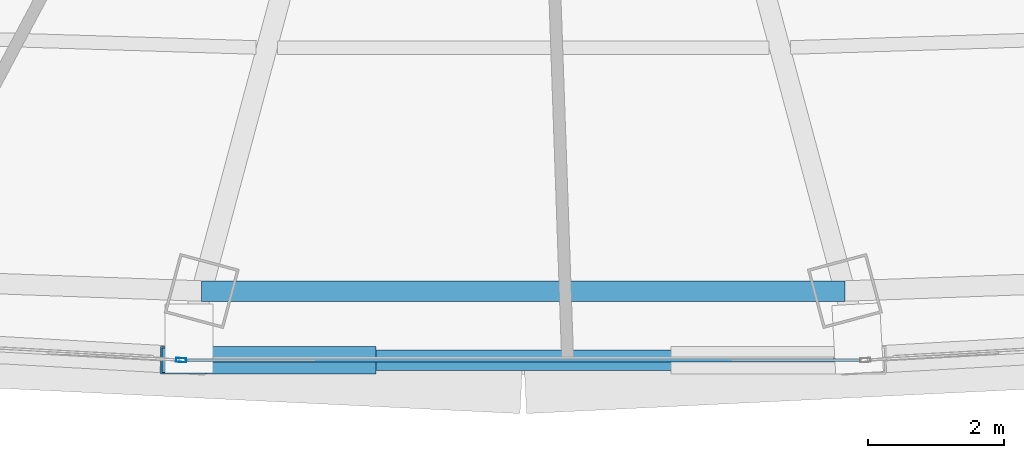
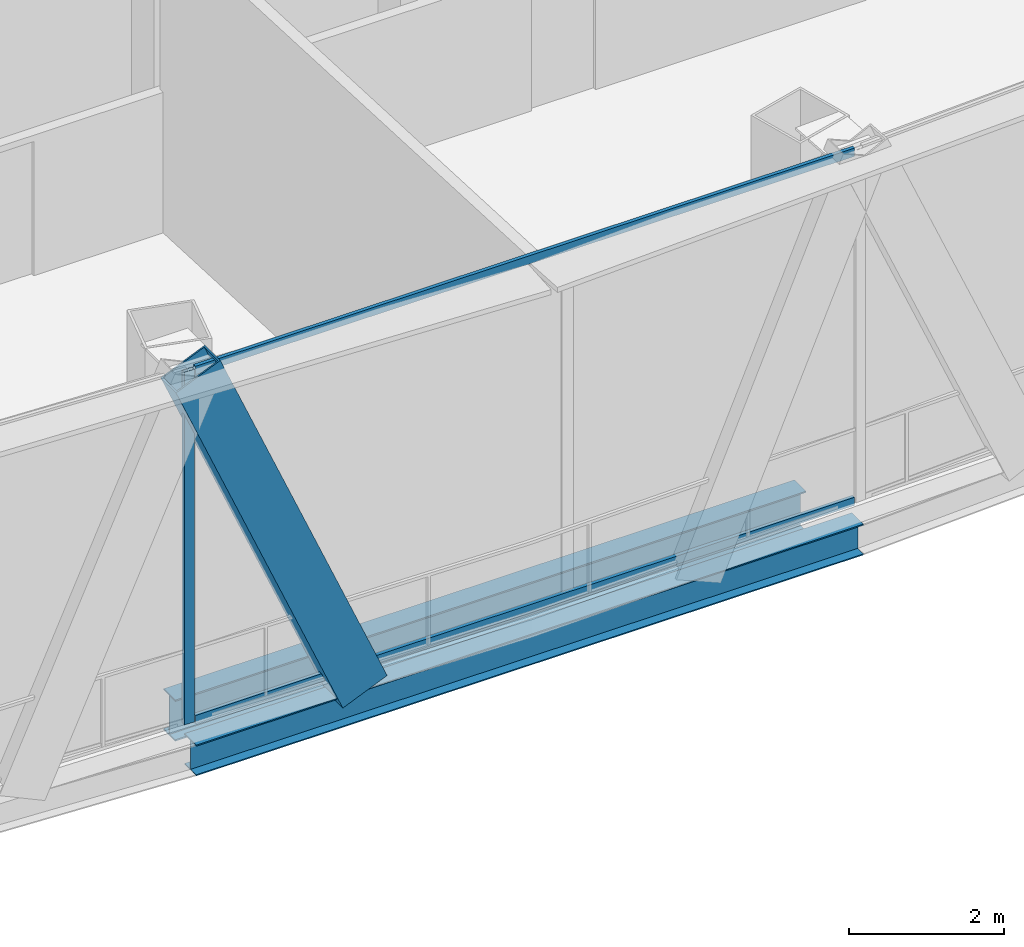
# One storey, part 10 of 38: 4 members, 2 beams, 2 elements without a shape of their own.
"""IFC4 building model written with IfcOpenShell, lengths in metres."""

from ifc_helpers import new_model, si_unit, direction, frame, origin, origin_2d, place, context, subcontext, project, spatial, hollow_rectangle, i_section, extrude, source, transform, mapped, material, layer, layer_set, material_profile, profile_set, type_object, element, aggregate, save


model = new_model("IFC4")

# Units and contexts
model_context = context("Model", 3, precision=1e-05, world=origin(), true_north=direction((0.0, 1.0)))
body_context = subcontext(model_context, "Body", "Model", "MODEL_VIEW")
ifc_project = project(units=[si_unit("LENGTHUNIT", "METRE"), si_unit("AREAUNIT", "SQUARE_METRE"), si_unit("VOLUMEUNIT", "CUBIC_METRE"), si_unit("PLANEANGLEUNIT", "RADIAN"), si_unit("MASSUNIT", "GRAM", prefix="KILO"), si_unit("THERMODYNAMICTEMPERATUREUNIT", "KELVIN"), si_unit("POWERUNIT", "WATT")], contexts=[model_context])

# Site, building, storey
site_placement = place(None, origin())
site = spatial("IfcSite", under=ifc_project, at=site_placement, CompositionType="ELEMENT")
building_placement = place(site_placement, origin())
building = spatial("IfcBuilding", under=site, at=building_placement, Name="Yunzhuo Pagoda Commons", CompositionType="ELEMENT")
storey_placement = place(building_placement, frame((0.0, 0.0, 218.9599609375)))
storey = spatial("IfcBuildingStorey", under=building, at=storey_placement, Name="L55", CompositionType="ELEMENT", Elevation=218.9599609375)

# Beams
ifc_material_1 = material(Name="Structural steel Q355B", Category="steel")
ifc_material_profile_1 = material_profile(ifc_material_1, i_section(OverallWidth=0.300048828125, OverallDepth=0.64990234375, WebThickness=0.012939453125, FlangeThickness=0.02197265625, at=origin_2d()), Name="Structural steel Q355B")
ifc_profile_set_1 = profile_set([ifc_material_profile_1], Name="Structural steel Q355B")
beam_type_1 = type_object("IfcBeamType", Name="B-RG2 Beam HN 650x300x13x22", PredefinedType="BEAM", material=ifc_profile_set_1)
shared_shape_1 = source(origin(), body_context, "Body", "SweptSolid", [
    extrude(i_section(OverallWidth=0.300048828125, OverallDepth=0.64990234375, WebThickness=0.012939453125, FlangeThickness=0.02197265625, at=origin_2d()), origin(), (0.0, 0.0, 1.0), 9.42529296875),
])
beam_1_placement = place(storey_placement, frame((43.28759765625, 16.1123046875, -0.604736328125), z_axis=(1.0, 0.0, 0.0), x_axis=(0.0, 1.0, 0.0)))
element("IfcBeam", 1, at=beam_1_placement, inside=storey, type_object=beam_type_1, Name="L55 column-ring beam 2", PredefinedType="BEAM", context=body_context, shape_type="MappedRepresentation", body=[
    mapped(shared_shape_1, transform((0.0, 0.0, 0.0), scale=1.0)),
])
ifc_material_profile_2 = material_profile(ifc_material_1, i_section(OverallWidth=0.300048828125, OverallDepth=0.488037109375, WebThickness=0.010986328125, FlangeThickness=0.01806640625, at=origin_2d()), Name="Structural steel Q355B")
ifc_profile_set_2 = profile_set([ifc_material_profile_2], Name="Structural steel Q355B")
beam_type_2 = type_object("IfcBeamType", Name="B-SP1 Beam HM 488x300x11x18", PredefinedType="BEAM", material=ifc_profile_set_2)
shared_shape_2 = source(origin(), body_context, "Body", "SweptSolid", [
    extrude(i_section(OverallWidth=0.300048828125, OverallDepth=0.488037109375, WebThickness=0.010986328125, FlangeThickness=0.01806640625, at=origin_2d()), origin(), (0.0, 0.0, 1.0), 9.96875),
])
beam_2_placement = place(storey_placement, frame((43.015625, 15.097900390625, -0.52392578125), z_axis=(1.0, 0.0, 0.0), x_axis=(0.0, 1.0, 0.0)))
element("IfcBeam", 2, at=beam_2_placement, inside=storey, type_object=beam_type_2, Name="L55 facade edge spandrel beam F1.2", PredefinedType="BEAM", context=body_context, shape_type="MappedRepresentation", body=[
    mapped(shared_shape_2, transform((0.0, 0.0, 0.0), scale=1.0)),
])

# Member
ifc_material_profile_3 = material_profile(ifc_material_1, hollow_rectangle(XDim=0.39990234375, YDim=0.719970703125, WallThickness=0.02392578125, at=origin_2d()), Name="Structural steel Q355B")
ifc_profile_set_3 = profile_set([ifc_material_profile_3], Name="Structural steel Q355B")
member_type_1 = type_object("IfcMemberType", Name="M-DL2 Brace BOX 720x400x24", PredefinedType="BRACE", material=ifc_profile_set_3)
shared_shape_3 = source(origin(), body_context, "Body", "SweptSolid", [
    extrude(hollow_rectangle(XDim=0.39990234375, YDim=0.719970703125, WallThickness=0.02392578125, at=origin_2d()), origin(), (0.0, 0.0, 1.0), 6.35888671875),
])
member_1_placement = place(storey_placement, frame((45.508056640625, 15.097900390625, -0.280029296875), z_axis=(-0.39195835299, 0.0, 0.919982961539), x_axis=(0.0, -1.0, 0.0)))
element("IfcMember", 3, at=member_1_placement, inside=storey, type_object=member_type_1, Name="L55 facade diamond brace F1.2L", PredefinedType="BRACE", context=body_context, shape_type="MappedRepresentation", body=[
    mapped(shared_shape_3, transform((0.0, 0.0, 0.0), scale=1.0)),
])

# Curtain wall, member
ifc_material_2 = material(Name="Anodized aluminium 6063-T6", Category="aluminium")
ifc_layer = layer(ifc_material_2, 0.14990234375)
ifc_layer_set = layer_set([ifc_layer], Name="Anodized aluminium 6063-T6")
curtain_wall_type = type_object("IfcCurtainWallType", Name="CW-MID Mid-Zone Ribbon Curtain Wall", PredefinedType="NOTDEFINED", material=ifc_layer_set)
curtain_wall_1_placement = place(storey_placement, origin())
curtain_wall_1 = element("IfcCurtainWall", 4, at=curtain_wall_1_placement, inside=storey, type_object=curtain_wall_type, Name="L55 curtain wall CW-L55-F1B2", PredefinedType="NOTDEFINED")
ifc_material_profile_4 = material_profile(ifc_material_2, hollow_rectangle(XDim=0.06005859375, YDim=0.14990234375, WallThickness=0.00390625, at=origin_2d()), Name="Anodized aluminium 6063-T6")
ifc_profile_set_4 = profile_set([ifc_material_profile_4], Name="Anodized aluminium 6063-T6")
member_type_2 = type_object("IfcMemberType", Name="CW-MID-M Mullion RHS 150x60x4", PredefinedType="MULLION", material=ifc_profile_set_4)
shared_shape_4 = source(origin(), body_context, "Body", "SweptSolid", [
    extrude(hollow_rectangle(XDim=0.06005859375, YDim=0.14990234375, WallThickness=0.00390625, at=origin_2d()), origin(), (0.0, 0.0, 1.0), 5.570068359375),
])
member_2_placement = place(storey_placement, frame((42.985595703125, 15.099609375, 0.0), z_axis=(0.0, 0.0, 1.0), x_axis=(0.055422627941, 0.998462984948, 0.0)))
member_2 = element("IfcMember", 5, at=member_2_placement, type_object=member_type_2, Name="CW mullion 2", PredefinedType="MULLION", context=body_context, shape_type="MappedRepresentation", body=[
    mapped(shared_shape_4, transform((0.0, 0.0, 0.0), scale=1.0)),
])
aggregate(curtain_wall_1, [member_2])

# Curtain wall, members
curtain_wall_2_placement = place(storey_placement, origin())
curtain_wall_2 = element("IfcCurtainWall", 6, at=curtain_wall_2_placement, inside=storey, type_object=curtain_wall_type, Name="L55 curtain wall CW-L55-F1B3", PredefinedType="NOTDEFINED")
ifc_material_profile_5 = material_profile(ifc_material_2, hollow_rectangle(XDim=0.054931640625, YDim=0.1298828125, WallThickness=0.00341796875, at=origin_2d()), Name="Anodized aluminium 6063-T6")
ifc_profile_set_5 = profile_set([ifc_material_profile_5], Name="Anodized aluminium 6063-T6")
member_type_3 = type_object("IfcMemberType", Name="CW-MID-T Transom RHS 130x55x3.5", PredefinedType="USERDEFINED", material=ifc_profile_set_5)
shared_shape_5 = source(origin(), body_context, "Body", "SweptSolid", [
    extrude(hollow_rectangle(XDim=0.054931640625, YDim=0.1298828125, WallThickness=0.00341796875, at=origin_2d()), origin(), (0.0, 0.0, 1.0), 9.8486328125),
])
member_3_placement = place(storey_placement, frame((43.07568359375, 15.097900390625, 0.027587890625), z_axis=(1.0, 0.0, 0.0), x_axis=(0.0, 1.0, 0.0)))
member_3 = element("IfcMember", 7, at=member_3_placement, type_object=member_type_3, Name="CW transom 1.1", ObjectType="TRANSOM", PredefinedType="USERDEFINED", context=body_context, shape_type="MappedRepresentation", body=[
    mapped(shared_shape_5, transform((0.0, 0.0, 0.0), scale=1.0)),
])
member_4_placement = place(storey_placement, frame((43.07568359375, 15.097900390625, 5.54248046875), z_axis=(1.0, 0.0, 0.0), x_axis=(0.0, 1.0, 0.0)))
member_4 = element("IfcMember", 8, at=member_4_placement, type_object=member_type_3, Name="CW transom 1.2", ObjectType="TRANSOM", PredefinedType="USERDEFINED", context=body_context, shape_type="MappedRepresentation", body=[
    mapped(shared_shape_5, transform((0.0, 0.0, 0.0), scale=1.0)),
])
aggregate(curtain_wall_2, [member_3, member_4])

save(model, "model.ifc")
